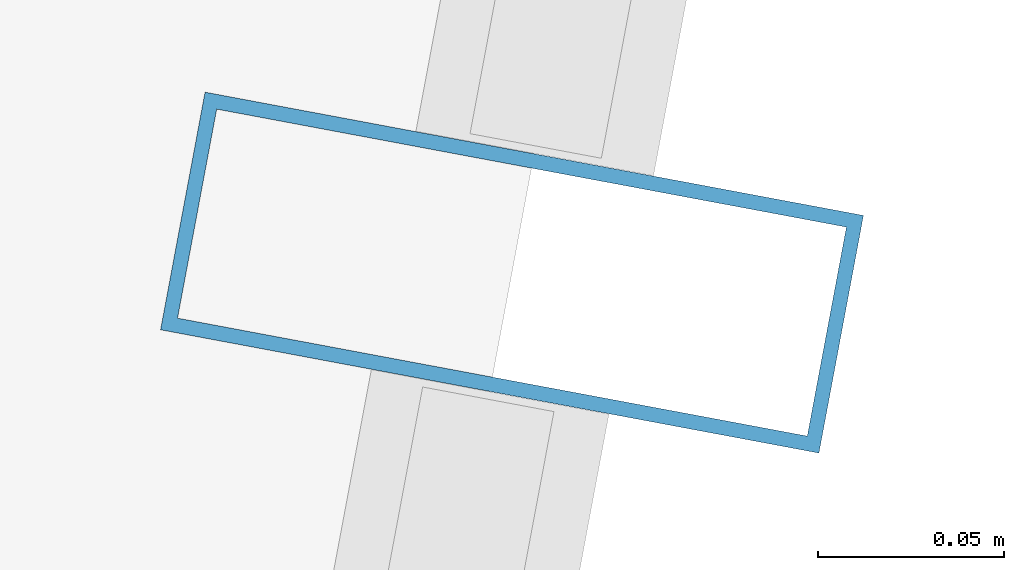
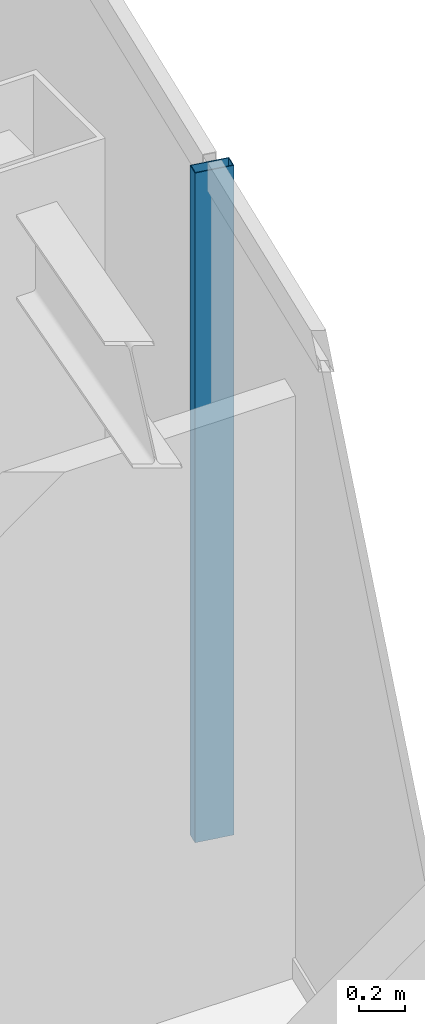
# One storey, part 14 of 23: 1 member, 1 element without a shape of its own.
"""IFC4 building model written with IfcOpenShell, lengths in metres."""

from ifc_helpers import new_model, si_unit, direction, frame, origin, origin_2d, place, context, subcontext, project, spatial, hollow_rectangle, extrude, material, material_profile, profile_set, type_object, element, aggregate, save


model = new_model("IFC4")

# Units and contexts
model_context = context("Model", 3, precision=1e-05, world=origin(), true_north=direction((0.0, 1.0)))
body_context = subcontext(model_context, "Body", "Model", "MODEL_VIEW")
ifc_project = project(units=[si_unit("LENGTHUNIT", "METRE"), si_unit("AREAUNIT", "SQUARE_METRE"), si_unit("VOLUMEUNIT", "CUBIC_METRE"), si_unit("PLANEANGLEUNIT", "RADIAN"), si_unit("MASSUNIT", "GRAM", prefix="KILO")], contexts=[model_context])

# Site, building, storey
site_placement = place(None, origin())
site = spatial("IfcSite", under=ifc_project, at=site_placement, CompositionType="ELEMENT")
building_placement = place(site_placement, origin())
building = spatial("IfcBuilding", under=site, at=building_placement, Name="Saevonmaru Cultural Tower", CompositionType="ELEMENT")
storey_placement = place(building_placement, frame((0.0, 0.0, 283.800048828125)))
storey = spatial("IfcBuildingStorey", under=building, at=storey_placement, Name="L67", CompositionType="ELEMENT", Elevation=283.800048828125)

# Curtain wall, member
ifc_material = material(Name="Satin Bronze Anodised Aluminium", Category="aluminium")
curtain_wall_type = type_object("IfcCurtainWallType", Name="CW-TYP-B", PredefinedType="NOTDEFINED", material=ifc_material)
curtain_wall_placement = place(storey_placement, origin())
curtain_wall = element("IfcCurtainWall", 1, at=curtain_wall_placement, inside=storey, type_object=curtain_wall_type, Name="L67 Unitised Curtain Wall E8", PredefinedType="NOTDEFINED")
ifc_material_profile = material_profile(ifc_material, hollow_rectangle(XDim=0.06494140625, YDim=0.179931640625, WallThickness=0.00390625, at=origin_2d()), Name="ALU-MULL-180x65x4")
ifc_profile_set = profile_set([ifc_material_profile], Name="Satin Bronze Anodised Aluminium")
member_type = type_object("IfcMemberType", Name="ML-CW-180x65", PredefinedType="MULLION", material=ifc_profile_set)
member_placement = place(storey_placement, frame((53.977783203125, 42.0, 0.0), z_axis=(0.0, 0.0, 1.0), x_axis=(0.184046528232, 0.982917532373, 0.0)))
member = element("IfcMember", 2, at=member_placement, type_object=member_type, Name="CW-TW-L67-E8 mullion 2", PredefinedType="MULLION", context=body_context, shape_type="SweptSolid", body=[
    extrude(hollow_rectangle(XDim=0.06494140625, YDim=0.179931640625, WallThickness=0.00390625, at=origin_2d()), origin(), (0.0, 0.0, 1.0), 3.550048828125),
])
aggregate(curtain_wall, [member])

save(model, "model.ifc")
